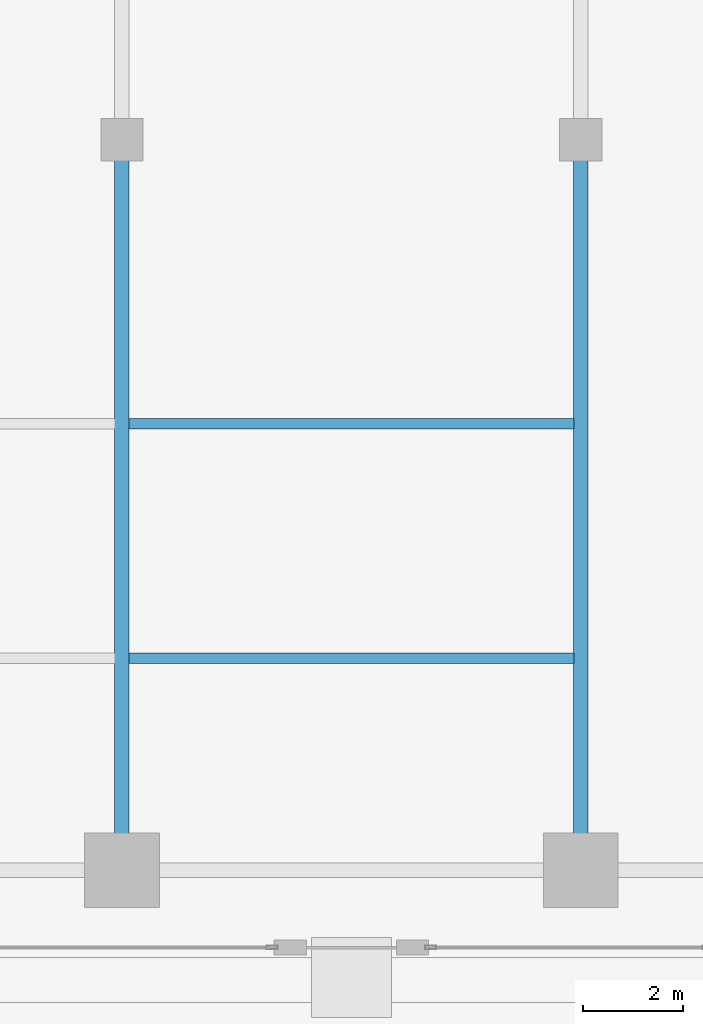
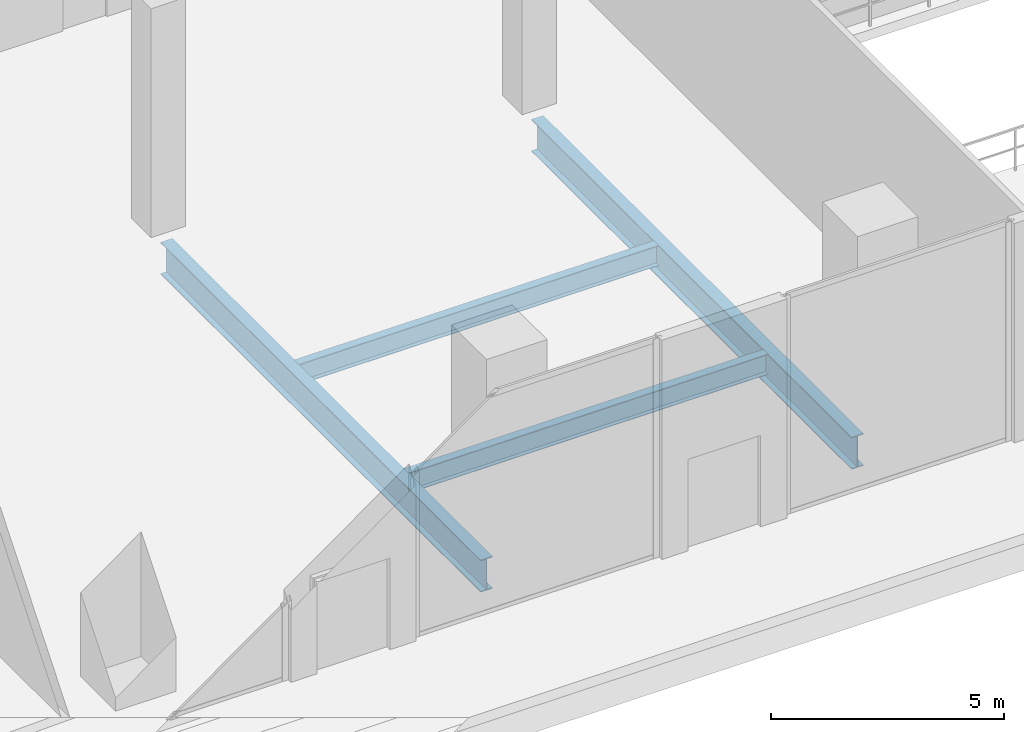
# One storey, part 9 of 39: 4 beams.
"""IFC4 building model written with IfcOpenShell, lengths in metres."""

from ifc_helpers import new_model, si_unit, direction, frame, origin, origin_2d, place, context, subcontext, project, spatial, i_section, extrude, material, material_profile, profile_set, type_object, element, save


model = new_model("IFC4")

# Units and contexts
model_context = context("Model", 3, precision=1e-05, world=origin(), true_north=direction((0.0, 1.0)))
body_context = subcontext(model_context, "Body", "Model", "MODEL_VIEW")
ifc_project = project(units=[si_unit("LENGTHUNIT", "METRE"), si_unit("AREAUNIT", "SQUARE_METRE"), si_unit("VOLUMEUNIT", "CUBIC_METRE"), si_unit("PLANEANGLEUNIT", "RADIAN"), si_unit("MASSUNIT", "GRAM", prefix="KILO")], contexts=[model_context])

# Site, building, storey
site_placement = place(None, origin())
site = spatial("IfcSite", under=ifc_project, at=site_placement, CompositionType="ELEMENT")
building_placement = place(site_placement, origin())
building = spatial("IfcBuilding", under=site, at=building_placement, Name="Zuhayl Quay Hotel", CompositionType="ELEMENT")
storey_placement = place(building_placement, origin())
storey = spatial("IfcBuildingStorey", under=building, at=storey_placement, Name="L00", CompositionType="ELEMENT", Elevation=0.0)

# Beams
ifc_material = material(Name="Steel ASTM A992 Grade 50", Category="steel")
ifc_material_profile_1 = material_profile(ifc_material, i_section(OverallWidth=0.208984375, OverallDepth=0.532958984375, WebThickness=0.01025390625, FlangeThickness=0.015625, at=origin_2d()), Name="W21X62")
ifc_profile_set_1 = profile_set([ifc_material_profile_1], Name="Steel ASTM A992 Grade 50")
beam_type_1 = type_object("IfcBeamType", Name="BM_J1_W21X62", PredefinedType="JOIST", material=ifc_profile_set_1)
for number, where, z_axis, x_axis, name in (
    (1, (-4.4619140625, -18.199951171875, -0.526611328125), (1.0, 0.0, 0.0), (0.0, 1.0, 0.0), "L00 Floor Beam J_POD_L00_1_2"),
    (2, (-4.4619140625, -13.5, -0.526611328125), (1.0, 0.0, 0.0), (0.0, 1.0, 0.0), "L00 Floor Beam J_POD_L00_2_2"),
):
    element("IfcBeam", number, at=place(storey_placement, frame(where, z_axis=z_axis, x_axis=x_axis)), inside=storey, type_object=beam_type_1, Name=name, PredefinedType="JOIST", context=body_context, shape_type="SweptSolid", body=[
        extrude(i_section(OverallWidth=0.208984375, OverallDepth=0.532958984375, WebThickness=0.01025390625, FlangeThickness=0.015625, at=origin_2d()), origin(), (0.0, 0.0, 1.0), 8.923828125),
    ])
ifc_material_profile_2 = material_profile(ifc_material, i_section(OverallWidth=0.2919921875, OverallDepth=0.845947265625, WebThickness=0.015380859375, FlangeThickness=0.0244140625, at=origin_2d()), Name="W33X141")
ifc_profile_set_2 = profile_set([ifc_material_profile_2], Name="Steel ASTM A992 Grade 50")
beam_type_2 = type_object("IfcBeamType", Name="BM_PG3_W33X141", PredefinedType="BEAM", material=ifc_profile_set_2)
for number, where, z_axis, x_axis, name in (
    (3, (-4.60009765625, -21.89990234375, -0.68310546875), (0.0, 1.0, 0.0), (-1.0, 0.0, 0.0), "L00 Floor Beam PG_NS1_L00_2"),
    (4, (4.60009765625, -21.89990234375, -0.68310546875), (0.0, 1.0, 0.0), (-1.0, 0.0, 0.0), "L00 Floor Beam PG_NS1_L00_3"),
):
    element("IfcBeam", number, at=place(storey_placement, frame(where, z_axis=z_axis, x_axis=x_axis)), inside=storey, type_object=beam_type_2, Name=name, PredefinedType="BEAM", context=body_context, shape_type="SweptSolid", body=[
        extrude(i_section(OverallWidth=0.2919921875, OverallDepth=0.845947265625, WebThickness=0.015380859375, FlangeThickness=0.0244140625, at=origin_2d()), origin(), (0.0, 0.0, 1.0), 13.75),
    ])

save(model, "model.ifc")
